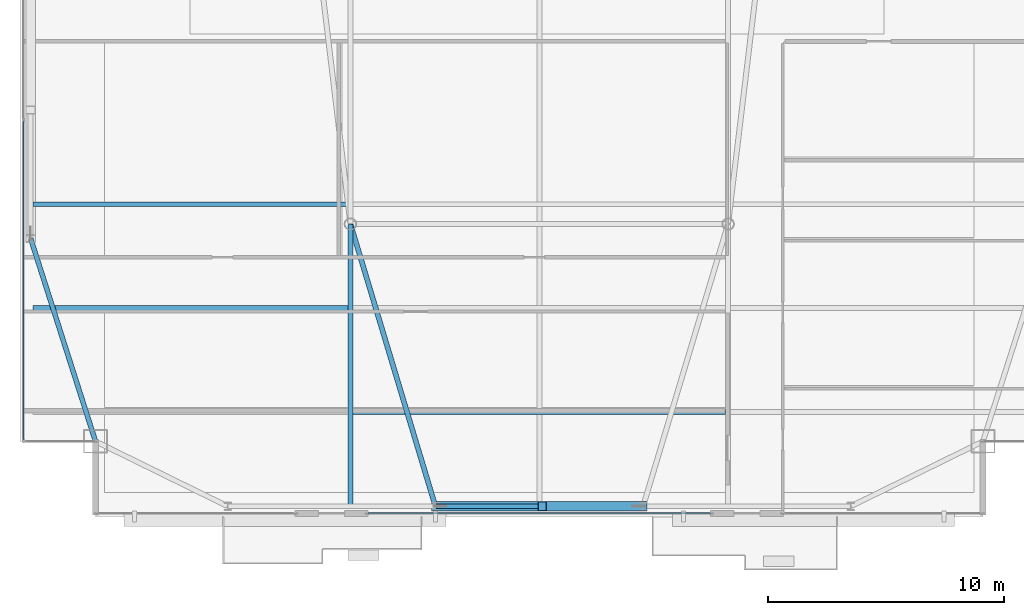
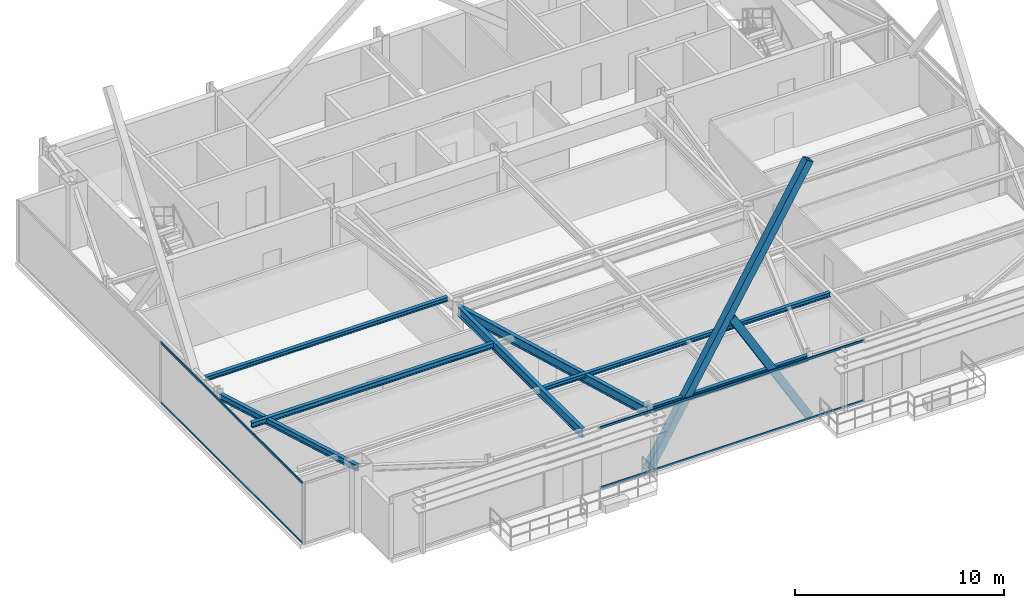
# One storey, part 6 of 25: 7 beams, 6 members, 2 elements without a shape of their own.
"""IFC4 building model written with IfcOpenShell, lengths in metres."""

from ifc_helpers import new_model, si_unit, direction, frame, origin, origin_2d, place, context, subcontext, project, spatial, hollow_rectangle, i_section, extrude, source, transform, mapped, material, layer, layer_set, material_profile, profile_set, type_object, type_shapes, element, aggregate, save


model = new_model("IFC4")

# Units and contexts
model_context = context("Model", 3, precision=1e-05, world=origin(), true_north=direction((0.0, 1.0)))
body_context = subcontext(model_context, "Body", "Model", "MODEL_VIEW")
ifc_project = project(units=[si_unit("LENGTHUNIT", "METRE"), si_unit("AREAUNIT", "SQUARE_METRE"), si_unit("VOLUMEUNIT", "CUBIC_METRE"), si_unit("PLANEANGLEUNIT", "RADIAN"), si_unit("MASSUNIT", "GRAM", prefix="KILO")], contexts=[model_context])

# Site, building, storey
site_placement = place(None, origin())
site = spatial("IfcSite", under=ifc_project, at=site_placement, CompositionType="ELEMENT")
building_placement = place(site_placement, origin())
building = spatial("IfcBuilding", under=site, at=building_placement, Name="Varnel Quay Broadcast Tower", CompositionType="ELEMENT")
storey_placement = place(building_placement, frame((0.0, 0.0, 273.60009765625)))
storey = spatial("IfcBuildingStorey", under=building, at=storey_placement, Name="L68", CompositionType="ELEMENT", Elevation=273.60009765625)

# Beams
ifc_material_1 = material(Name="Structural Steel CSA G40.21 350W", Category="steel")
ifc_material_profile_1 = material_profile(ifc_material_1, i_section(OverallWidth=0.205078125, OverallDepth=0.35400390625, WebThickness=0.009521484375, FlangeThickness=0.016845703125, FilletRadius=0.012939453125, at=origin_2d()), Name="W360X79")
ifc_profile_set_1 = profile_set([ifc_material_profile_1], Name="Structural Steel CSA G40.21 350W")
beam_type_1 = type_object("IfcBeamType", Name="Beam_W360X79", PredefinedType="SPANDREL", material=ifc_profile_set_1)
shared_shape_1 = source(origin(), body_context, "Body", "SweptSolid", [
    extrude(i_section(OverallWidth=0.205078125, OverallDepth=0.35400390625, WebThickness=0.009521484375, FlangeThickness=0.016845703125, FilletRadius=0.012939453125, at=origin_2d()), origin(), (0.0, 0.0, 1.0), 8.759765625),
])
beam_1_placement = place(storey_placement, frame((29.6201171875, 13.64990234375, 3.372802734375), z_axis=(1.0, 0.0, 0.0), x_axis=(0.0, 1.0, 0.0)))
element("IfcBeam", 1, at=beam_1_placement, inside=storey, type_object=beam_type_1, Name="L68 South Spandrel TC-S2-TC-S3", PredefinedType="SPANDREL", context=body_context, shape_type="MappedRepresentation", body=[
    mapped(shared_shape_1, transform((0.0, 0.0, 0.0), x_axis=(1.0, 0.0, 0.0), y_axis=(0.0, 1.0, 0.0), z_axis=(0.0, 0.0, 1.0), scale=1.0)),
])
shared_shape_2 = source(origin(), body_context, "Body", "SweptSolid", [
    extrude(i_section(OverallWidth=0.205078125, OverallDepth=0.35400390625, WebThickness=0.009521484375, FlangeThickness=0.016845703125, FilletRadius=0.012939453125, at=origin_2d()), origin(), (0.0, 0.0, 1.0), 8.989013671875),
])
type_shapes(beam_type_1, [shared_shape_1, shared_shape_2])
beam_2_placement = place(storey_placement, frame((15.19384765625, 16.4189453125, 3.372802734375), z_axis=(-0.304568770162, 0.952490348635, 0.0), x_axis=(-0.952490348635, -0.304568770162, 0.0)))
element("IfcBeam", 2, at=beam_2_placement, inside=storey, type_object=beam_type_1, Name="L68 West Spandrel MC-SW-TC-W1", PredefinedType="SPANDREL", context=body_context, shape_type="MappedRepresentation", body=[
    mapped(shared_shape_2, transform((0.0, 0.0, 0.0), x_axis=(1.0, 0.0, 0.0), y_axis=(0.0, 1.0, 0.0), z_axis=(0.0, 0.0, 1.0), scale=1.0)),
])
ifc_material_profile_2 = material_profile(ifc_material_1, i_section(OverallWidth=0.2119140625, OverallDepth=0.5439453125, WebThickness=0.01318359375, FlangeThickness=0.021240234375, FilletRadius=0.013916015625, at=origin_2d()), Name="W530X123")
ifc_profile_set_2 = profile_set([ifc_material_profile_2], Name="Structural Steel CSA G40.21 350W")
beam_type_2 = type_object("IfcBeamType", Name="Girder_W530X123", PredefinedType="BEAM", material=ifc_profile_set_2)
shared_shape_3 = source(origin(), body_context, "Body", "SweptSolid", [
    extrude(i_section(OverallWidth=0.2119140625, OverallDepth=0.5439453125, WebThickness=0.01318359375, FlangeThickness=0.021240234375, FilletRadius=0.013916015625, at=origin_2d()), origin(), (0.0, 0.0, 1.0), 12.449951171875),
])
beam_3_placement = place(storey_placement, frame((29.59423828125, 13.669189453125, 3.27783203125), z_axis=(-0.28822390679, 0.957563042078, 0.0), x_axis=(-0.957563042078, -0.28822390679, 0.0)))
element("IfcBeam", 3, at=beam_3_placement, inside=storey, type_object=beam_type_2, Name="L68 Primary Girder TC-S2-IC-01", PredefinedType="BEAM", context=body_context, shape_type="MappedRepresentation", body=[
    mapped(shared_shape_3, transform((0.0, 0.0, 0.0), x_axis=(1.0, 0.0, 0.0), y_axis=(0.0, 1.0, 0.0), z_axis=(0.0, 0.0, 1.0), scale=1.0)),
])
shared_shape_4 = source(origin(), body_context, "Body", "SweptSolid", [
    extrude(i_section(OverallWidth=0.2119140625, OverallDepth=0.5439453125, WebThickness=0.01318359375, FlangeThickness=0.021240234375, FilletRadius=0.013916015625, at=origin_2d()), origin(), (0.0, 0.0, 1.0), 11.920166015625),
])
type_shapes(beam_type_2, [shared_shape_3, shared_shape_4])
beam_4_placement = place(storey_placement, frame((26.0, 13.669921875, 3.27783203125), z_axis=(0.0, 1.0, 0.0), x_axis=(-1.0, 0.0, 0.0)))
element("IfcBeam", 4, at=beam_4_placement, inside=storey, type_object=beam_type_2, Name="L68 N-S Joist Header IC-01S", PredefinedType="BEAM", context=body_context, shape_type="MappedRepresentation", body=[
    mapped(shared_shape_4, transform((0.0, 0.0, 0.0), x_axis=(1.0, 0.0, 0.0), y_axis=(0.0, 1.0, 0.0), z_axis=(0.0, 0.0, 1.0), scale=1.0)),
])
ifc_material_profile_3 = material_profile(ifc_material_1, i_section(OverallWidth=0.201904296875, OverallDepth=0.2470703125, WebThickness=0.00732421875, FlangeThickness=0.010986328125, FilletRadius=0.010986328125, at=origin_2d()), Name="W250X49")
ifc_profile_set_3 = profile_set([ifc_material_profile_3], Name="Structural Steel CSA G40.21 350W")
beam_type_3 = type_object("IfcBeamType", Name="Beam_W250X49", PredefinedType="JOIST", material=ifc_profile_set_3)
shared_shape_5 = source(origin(), body_context, "Body", "SweptSolid", [
    extrude(i_section(OverallWidth=0.201904296875, OverallDepth=0.2470703125, WebThickness=0.00732421875, FlangeThickness=0.010986328125, FilletRadius=0.010986328125, at=origin_2d()), origin(), (0.0, 0.0, 1.0), 13.351318359375),
])
beam_5_placement = place(storey_placement, frame((12.547607421875, 26.449951171875, 3.426513671875), z_axis=(1.0, 0.0, 0.0), x_axis=(0.0, 1.0, 0.0)))
element("IfcBeam", 5, at=beam_5_placement, inside=storey, type_object=beam_type_3, Name="L68 West Floor Joist 3", PredefinedType="JOIST", context=body_context, shape_type="MappedRepresentation", body=[
    mapped(shared_shape_5, transform((0.0, 0.0, 0.0), x_axis=(1.0, 0.0, 0.0), y_axis=(0.0, 1.0, 0.0), z_axis=(0.0, 0.0, 1.0), scale=1.0)),
])
shared_shape_6 = source(origin(), body_context, "Body", "SweptSolid", [
    extrude(i_section(OverallWidth=0.201904296875, OverallDepth=0.2470703125, WebThickness=0.00732421875, FlangeThickness=0.010986328125, FilletRadius=0.010986328125, at=origin_2d()), origin(), (0.0, 0.0, 1.0), 15.7978515625),
])
type_shapes(beam_type_3, [shared_shape_5, shared_shape_6])
beam_6_placement = place(storey_placement, frame((26.10107421875, 17.64990234375, 3.426513671875), z_axis=(1.0, 0.0, 0.0), x_axis=(0.0, 1.0, 0.0)))
element("IfcBeam", 6, at=beam_6_placement, inside=storey, type_object=beam_type_3, Name="L68 Central Floor Joist 1", PredefinedType="JOIST", context=body_context, shape_type="MappedRepresentation", body=[
    mapped(shared_shape_6, transform((0.0, 0.0, 0.0), x_axis=(1.0, 0.0, 0.0), y_axis=(0.0, 1.0, 0.0), z_axis=(0.0, 0.0, 1.0), scale=1.0)),
])
ifc_material_profile_4 = material_profile(ifc_material_1, i_section(OverallWidth=0.202880859375, OverallDepth=0.302978515625, WebThickness=0.007568359375, FlangeThickness=0.01318359375, FilletRadius=0.011962890625, at=origin_2d()), Name="W310X60")
ifc_profile_set_4 = profile_set([ifc_material_profile_4], Name="Structural Steel CSA G40.21 350W")
beam_type_4 = type_object("IfcBeamType", Name="Beam_W310X60", PredefinedType="JOIST", material=ifc_profile_set_4)
shared_shape_7 = source(origin(), body_context, "Body", "SweptSolid", [
    extrude(i_section(OverallWidth=0.202880859375, OverallDepth=0.302978515625, WebThickness=0.007568359375, FlangeThickness=0.01318359375, FilletRadius=0.011962890625, at=origin_2d()), origin(), (0.0, 0.0, 1.0), 13.351318359375),
])
type_shapes(beam_type_4, [shared_shape_7])
beam_7_placement = place(storey_placement, frame((12.547607421875, 22.050048828125, 3.3984375), z_axis=(1.0, 0.0, 0.0), x_axis=(0.0, 1.0, 0.0)))
element("IfcBeam", 7, at=beam_7_placement, inside=storey, type_object=beam_type_4, Name="L68 West Floor Joist 2", PredefinedType="JOIST", context=body_context, shape_type="MappedRepresentation", body=[
    mapped(shared_shape_7, transform((0.0, 0.0, 0.0), x_axis=(1.0, 0.0, 0.0), y_axis=(0.0, 1.0, 0.0), z_axis=(0.0, 0.0, 1.0), scale=1.0)),
])

# Members
ifc_material_profile_5 = material_profile(ifc_material_1, hollow_rectangle(XDim=0.406005859375, YDim=0.406005859375, WallThickness=0.01611328125, at=origin_2d()), Name="HSS406X406X16")
ifc_profile_set_5 = profile_set([ifc_material_profile_5], Name="Structural Steel CSA G40.21 350W")
member_type_1 = type_object("IfcMemberType", Name="Brace_HSS406X406X16", PredefinedType="BRACE", material=ifc_profile_set_5)
shared_shape_8 = source(origin(), body_context, "Body", "SweptSolid", [
    extrude(hollow_rectangle(XDim=0.406005859375, YDim=0.406005859375, WallThickness=0.01611328125, at=origin_2d()), origin(), (0.0, 0.0, 1.0), 8.399658203125),
])
member_1_placement = place(storey_placement, frame((38.39990234375, 13.64990234375, 0.02001953125), z_axis=(-0.508275848743, 0.0, 0.861194322778), x_axis=(0.0, -1.0, 0.0)))
element("IfcMember", 8, at=member_1_placement, inside=storey, type_object=member_type_1, Name="Zone 5 Mega-Brace S-C1T2 Split Diag B1", PredefinedType="BRACE", context=body_context, shape_type="MappedRepresentation", body=[
    mapped(shared_shape_8, transform((0.0, 0.0, 0.0), x_axis=(1.0, 0.0, 0.0), y_axis=(0.0, 1.0, 0.0), z_axis=(0.0, 0.0, 1.0), scale=1.0)),
])
shared_shape_9 = source(origin(), body_context, "Body", "SweptSolid", [
    extrude(hollow_rectangle(XDim=0.406005859375, YDim=0.406005859375, WallThickness=0.01611328125, at=origin_2d()), origin(), (0.0, 0.0, 1.0), 17.31298828125),
])
type_shapes(member_type_1, [shared_shape_8, shared_shape_9])
member_2_placement = place(storey_placement, frame((29.60009765625, 13.64990234375, 0.02001953125), z_axis=(0.508275530707, 0.0, 0.861194510482), x_axis=(0.0, 1.0, 0.0)))
element("IfcMember", 9, at=member_2_placement, inside=storey, type_object=member_type_1, Name="Zone 5 Mega-Brace S-C1T2 Continuous Diag A", PredefinedType="BRACE", context=body_context, shape_type="MappedRepresentation", body=[
    mapped(shared_shape_9, transform((0.0, 0.0, 0.0), x_axis=(1.0, 0.0, 0.0), y_axis=(0.0, 1.0, 0.0), z_axis=(0.0, 0.0, 1.0), scale=1.0)),
])

# Curtain wall, members
ifc_material_2 = material(Name="Anodised Bronze Aluminium 6063-T6", Category="aluminium")
ifc_layer = layer(ifc_material_2, 0.18994140625, Name="Anodised Bronze Aluminium 6063-T6")
ifc_layer_set = layer_set([ifc_layer], Name="Anodised Bronze Aluminium 6063-T6")
curtain_wall_type = type_object("IfcCurtainWallType", Name="CW_UpperTower", PredefinedType="NOTDEFINED", material=ifc_layer_set)
curtain_wall_1_placement = place(storey_placement, origin())
curtain_wall_1 = element("IfcCurtainWall", 10, at=curtain_wall_1_placement, inside=storey, type_object=curtain_wall_type, Name="L68 West Unitised Curtain Wall", PredefinedType="NOTDEFINED")
ifc_material_profile_6 = material_profile(ifc_material_2, hollow_rectangle(XDim=0.06005859375, YDim=0.125, WallThickness=0.0029296875, at=origin_2d()), Name="ALU60X125X3")
ifc_profile_set_6 = profile_set([ifc_material_profile_6], Name="Anodised Bronze Aluminium 6063-T6")
member_type_2 = type_object("IfcMemberType", Name="Tran_CWS-03", PredefinedType="USERDEFINED", material=ifc_profile_set_6)
shared_shape_10 = source(origin(), body_context, "Body", "SweptSolid", [
    extrude(hollow_rectangle(XDim=0.06005859375, YDim=0.125, WallThickness=0.0029296875, at=origin_2d()), origin(), (0.0, 0.0, 1.0), 13.50244140625),
])
member_3_placement = place(storey_placement, frame((12.14990234375, 16.465087890625, 0.02978515625), z_axis=(0.0, 1.0, 0.0), x_axis=(-1.0, 0.0, 0.0)))
member_3 = element("IfcMember", 11, at=member_3_placement, type_object=member_type_2, Name="CWS-03 transom 1.1", ObjectType="TRANSOM", PredefinedType="USERDEFINED", context=body_context, shape_type="MappedRepresentation", body=[
    mapped(shared_shape_10, transform((0.0, 0.0, 0.0), x_axis=(1.0, 0.0, 0.0), y_axis=(0.0, 1.0, 0.0), z_axis=(0.0, 0.0, 1.0), scale=1.0)),
])
member_4_placement = place(storey_placement, frame((12.14990234375, 16.465087890625, 3.52001953125), z_axis=(0.0, 1.0, 0.0), x_axis=(-1.0, 0.0, 0.0)))
member_4 = element("IfcMember", 12, at=member_4_placement, type_object=member_type_2, Name="CWS-03 transom 1.2", ObjectType="TRANSOM", PredefinedType="USERDEFINED", context=body_context, shape_type="MappedRepresentation", body=[
    mapped(shared_shape_10, transform((0.0, 0.0, 0.0), x_axis=(1.0, 0.0, 0.0), y_axis=(0.0, 1.0, 0.0), z_axis=(0.0, 0.0, 1.0), scale=1.0)),
])
aggregate(curtain_wall_1, [member_3, member_4])

curtain_wall_2_placement = place(storey_placement, origin())
curtain_wall_2 = element("IfcCurtainWall", 13, at=curtain_wall_2_placement, inside=storey, type_object=curtain_wall_type, Name="L68 South Unitised Curtain Wall 2", PredefinedType="NOTDEFINED")
shared_shape_11 = source(origin(), body_context, "Body", "SweptSolid", [
    extrude(hollow_rectangle(XDim=0.06005859375, YDim=0.125, WallThickness=0.0029296875, at=origin_2d()), origin(), (0.0, 0.0, 1.0), 14.509765625),
])
type_shapes(member_type_2, [shared_shape_10, shared_shape_11])
member_5_placement = place(storey_placement, frame((26.7451171875, 13.35009765625, 0.02978515625), z_axis=(1.0, 0.0, 0.0), x_axis=(0.0, 1.0, 0.0)))
member_5 = element("IfcMember", 14, at=member_5_placement, type_object=member_type_2, Name="CWS-03 transom 1.1", ObjectType="TRANSOM", PredefinedType="USERDEFINED", context=body_context, shape_type="MappedRepresentation", body=[
    mapped(shared_shape_11, transform((0.0, 0.0, 0.0), x_axis=(1.0, 0.0, 0.0), y_axis=(0.0, 1.0, 0.0), z_axis=(0.0, 0.0, 1.0), scale=1.0)),
])
member_6_placement = place(storey_placement, frame((26.7451171875, 13.35009765625, 3.52001953125), z_axis=(1.0, 0.0, 0.0), x_axis=(0.0, 1.0, 0.0)))
member_6 = element("IfcMember", 15, at=member_6_placement, type_object=member_type_2, Name="CWS-03 transom 1.2", ObjectType="TRANSOM", PredefinedType="USERDEFINED", context=body_context, shape_type="MappedRepresentation", body=[
    mapped(shared_shape_11, transform((0.0, 0.0, 0.0), x_axis=(1.0, 0.0, 0.0), y_axis=(0.0, 1.0, 0.0), z_axis=(0.0, 0.0, 1.0), scale=1.0)),
])
aggregate(curtain_wall_2, [member_5, member_6])

save(model, "model.ifc")
